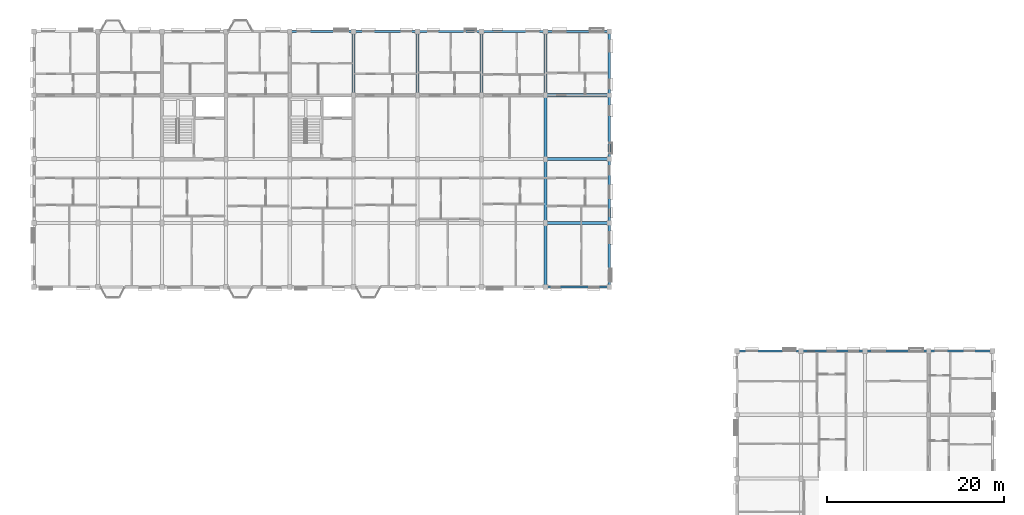
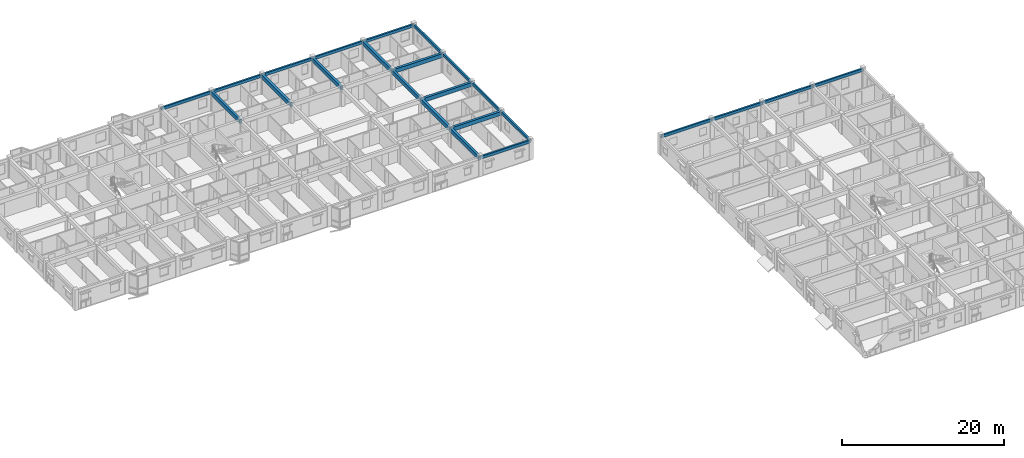
# One storey, part 40 of 75: 24 beams.
"""IFC4 building model written with IfcOpenShell, lengths in metres."""

from ifc_helpers import new_model, si_unit, direction, frame, origin, origin_2d, place, context, subcontext, project, spatial, rectangle, extrude, material, material_profile, profile_set, type_object, element, save


model = new_model("IFC4")

# Units and contexts
model_context = context("Model", 3, precision=1e-05, world=origin(), true_north=direction((0.0, 1.0)))
body_context = subcontext(model_context, "Body", "Model", "MODEL_VIEW")
ifc_project = project(units=[si_unit("LENGTHUNIT", "METRE"), si_unit("AREAUNIT", "SQUARE_METRE"), si_unit("VOLUMEUNIT", "CUBIC_METRE"), si_unit("PLANEANGLEUNIT", "RADIAN"), si_unit("MASSUNIT", "GRAM", prefix="KILO"), si_unit("THERMODYNAMICTEMPERATUREUNIT", "KELVIN"), si_unit("POWERUNIT", "WATT")], contexts=[model_context])

# Site, building, storey
site_placement = place(None, origin())
site = spatial("IfcSite", under=ifc_project, at=site_placement, CompositionType="ELEMENT")
building_placement = place(site_placement, origin())
building = spatial("IfcBuilding", under=site, at=building_placement, Name="Tavuni Mirador Residences", CompositionType="ELEMENT")
storey_placement = place(building_placement, frame((0.0, 0.0, 20.25)))
storey = spatial("IfcBuildingStorey", under=building, at=storey_placement, Name="L06", CompositionType="ELEMENT", Elevation=20.25)

# Beams
ifc_material = material(Name="Precast concrete C40/50", Category="concrete")
ifc_material_profile_1 = material_profile(ifc_material, rectangle(XDim=0.35009765625, YDim=0.60009765625, at=origin_2d()), Name="PC 350x600", Category="concrete")
ifc_profile_set_1 = profile_set([ifc_material_profile_1], Name="Precast concrete C40/50")
beam_type_1 = type_object("IfcBeamType", Name="BT-B600", PredefinedType="BEAM", material=ifc_profile_set_1)
for number, where, z_axis, x_axis, name in (
    (1, (68.39990234375, 151.199951171875, 2.5849609375), (1.0, 0.0, 0.0), (0.0, 1.0, 0.0), "BMX-BLK-C-L06-08-01"),
    (2, (68.39990234375, 158.39990234375, 2.5849609375), (1.0, 0.0, 0.0), (0.0, 1.0, 0.0), "BMX-BLK-C-L06-08-02"),
    (3, (68.39990234375, 165.60009765625, 2.5849609375), (1.0, 0.0, 0.0), (0.0, 1.0, 0.0), "BMX-BLK-C-L06-08-03"),
):
    element("IfcBeam", number, at=place(storey_placement, frame(where, z_axis=z_axis, x_axis=x_axis)), inside=storey, type_object=beam_type_1, Name=name, PredefinedType="BEAM", context=body_context, shape_type="SweptSolid", body=[
        extrude(rectangle(XDim=0.35009765625, YDim=0.60009765625, at=origin_2d()), origin(), (0.0, 0.0, 1.0), 7.2001953125),
    ])
for number, where, z_axis, x_axis, name in (
    (4, (46.800048828125, 165.60009765625, 2.5849609375), (0.0, 1.0, 0.0), (-1.0, 0.0, 0.0), "BMY-BLK-C-L06-05-03"),
    (5, (54.0, 165.60009765625, 2.5849609375), (0.0, 1.0, 0.0), (-1.0, 0.0, 0.0), "BMY-BLK-C-L06-06-03"),
    (6, (61.199951171875, 165.60009765625, 2.5849609375), (0.0, 1.0, 0.0), (-1.0, 0.0, 0.0), "BMY-BLK-C-L06-07-03"),
    (7, (68.39990234375, 144.0, 2.5849609375), (0.0, 1.0, 0.0), (-1.0, 0.0, 0.0), "BMY-BLK-C-L06-08-00"),
    (8, (68.39990234375, 151.199951171875, 2.5849609375), (0.0, 1.0, 0.0), (-1.0, 0.0, 0.0), "BMY-BLK-C-L06-08-01"),
):
    element("IfcBeam", number, at=place(storey_placement, frame(where, z_axis=z_axis, x_axis=x_axis)), inside=storey, type_object=beam_type_1, Name=name, PredefinedType="BEAM", context=body_context, shape_type="SweptSolid", body=[
        extrude(rectangle(XDim=0.35009765625, YDim=0.60009765625, at=origin_2d()), origin(), (0.0, 0.0, 1.0), 7.199951171875),
    ])
beam_1_placement = place(storey_placement, frame((68.39990234375, 158.39990234375, 2.5849609375), z_axis=(0.0, 1.0, 0.0), x_axis=(-1.0, 0.0, 0.0)))
element("IfcBeam", 9, at=beam_1_placement, inside=storey, type_object=beam_type_1, Name="BMY-BLK-C-L06-08-02", PredefinedType="BEAM", context=body_context, shape_type="SweptSolid", body=[
    extrude(rectangle(XDim=0.35009765625, YDim=0.60009765625, at=origin_2d()), origin(), (0.0, 0.0, 1.0), 7.2001953125),
])
beam_2_placement = place(storey_placement, frame((68.39990234375, 165.60009765625, 2.5849609375), z_axis=(0.0, 1.0, 0.0), x_axis=(-1.0, 0.0, 0.0)))
element("IfcBeam", 10, at=beam_2_placement, inside=storey, type_object=beam_type_1, Name="BMY-BLK-C-L06-08-03", PredefinedType="BEAM", context=body_context, shape_type="SweptSolid", body=[
    extrude(rectangle(XDim=0.35009765625, YDim=0.60009765625, at=origin_2d()), origin(), (0.0, 0.0, 1.0), 7.199951171875),
])
ifc_material_profile_2 = material_profile(ifc_material, rectangle(XDim=0.25, YDim=0.419921875, at=origin_2d()), Name="PC 250x420", Category="concrete")
ifc_profile_set_2 = profile_set([ifc_material_profile_2], Name="Precast concrete C40/50")
beam_type_2 = type_object("IfcBeamType", Name="BT-SP420", PredefinedType="SPANDREL", material=ifc_profile_set_2)
beam_3_placement = place(storey_placement, frame((68.39990234375, 144.0, 2.675048828125), z_axis=(1.0, 0.0, 0.0), x_axis=(0.0, 1.0, 0.0)))
element("IfcBeam", 11, at=beam_3_placement, inside=storey, type_object=beam_type_2, Name="BMX-BLK-C-L06-08-00", PredefinedType="SPANDREL", context=body_context, shape_type="SweptSolid", body=[
    extrude(rectangle(XDim=0.25, YDim=0.419921875, at=origin_2d()), origin(), (0.0, 0.0, 1.0), 7.2001953125),
])
for number, where, z_axis, x_axis, name in (
    (12, (39.60009765625, 172.800048828125, 2.675048828125), (1.0, 0.0, 0.0), (0.0, 1.0, 0.0), "BMX-BLK-C-L06-04-04"),
    (13, (46.800048828125, 172.800048828125, 2.675048828125), (1.0, 0.0, 0.0), (0.0, 1.0, 0.0), "BMX-BLK-C-L06-05-04"),
    (14, (54.0, 172.800048828125, 2.675048828125), (1.0, 0.0, 0.0), (0.0, 1.0, 0.0), "BMX-BLK-C-L06-06-04"),
    (15, (61.199951171875, 172.800048828125, 2.675048828125), (1.0, 0.0, 0.0), (0.0, 1.0, 0.0), "BMX-BLK-C-L06-07-04"),
):
    element("IfcBeam", number, at=place(storey_placement, frame(where, z_axis=z_axis, x_axis=x_axis)), inside=storey, type_object=beam_type_2, Name=name, PredefinedType="SPANDREL", context=body_context, shape_type="SweptSolid", body=[
        extrude(rectangle(XDim=0.25, YDim=0.419921875, at=origin_2d()), origin(), (0.0, 0.0, 1.0), 7.199951171875),
    ])
beam_4_placement = place(storey_placement, frame((68.39990234375, 172.800048828125, 2.675048828125), z_axis=(1.0, 0.0, 0.0), x_axis=(0.0, 1.0, 0.0)))
element("IfcBeam", 16, at=beam_4_placement, inside=storey, type_object=beam_type_2, Name="BMX-BLK-C-L06-08-04", PredefinedType="SPANDREL", context=body_context, shape_type="SweptSolid", body=[
    extrude(rectangle(XDim=0.25, YDim=0.419921875, at=origin_2d()), origin(), (0.0, 0.0, 1.0), 7.2001953125),
])
for number, where, z_axis, x_axis, name in (
    (17, (75.60009765625, 144.0, 2.675048828125), (0.0, 1.0, 0.0), (-1.0, 0.0, 0.0), "BMY-BLK-C-L06-09-00"),
    (18, (75.60009765625, 151.199951171875, 2.675048828125), (0.0, 1.0, 0.0), (-1.0, 0.0, 0.0), "BMY-BLK-C-L06-09-01"),
):
    element("IfcBeam", number, at=place(storey_placement, frame(where, z_axis=z_axis, x_axis=x_axis)), inside=storey, type_object=beam_type_2, Name=name, PredefinedType="SPANDREL", context=body_context, shape_type="SweptSolid", body=[
        extrude(rectangle(XDim=0.25, YDim=0.419921875, at=origin_2d()), origin(), (0.0, 0.0, 1.0), 7.199951171875),
    ])
beam_5_placement = place(storey_placement, frame((75.60009765625, 158.39990234375, 2.675048828125), z_axis=(0.0, 1.0, 0.0), x_axis=(-1.0, 0.0, 0.0)))
element("IfcBeam", 19, at=beam_5_placement, inside=storey, type_object=beam_type_2, Name="BMY-BLK-C-L06-09-02", PredefinedType="SPANDREL", context=body_context, shape_type="SweptSolid", body=[
    extrude(rectangle(XDim=0.25, YDim=0.419921875, at=origin_2d()), origin(), (0.0, 0.0, 1.0), 7.2001953125),
])
for number, where, z_axis, x_axis, name in (
    (20, (75.60009765625, 165.60009765625, 2.675048828125), (0.0, 1.0, 0.0), (-1.0, 0.0, 0.0), "BMY-BLK-C-L06-09-03"),
    (21, (90.0, 136.800048828125, 2.679931640625), (1.0, 0.0, 0.0), (0.0, 1.0, 0.0), "BMX-BLK-D-L06-00-07"),
    (22, (97.199951171875, 136.800048828125, 2.679931640625), (1.0, 0.0, 0.0), (0.0, 1.0, 0.0), "BMX-BLK-D-L06-01-07"),
):
    element("IfcBeam", number, at=place(storey_placement, frame(where, z_axis=z_axis, x_axis=x_axis)), inside=storey, type_object=beam_type_2, Name=name, PredefinedType="SPANDREL", context=body_context, shape_type="SweptSolid", body=[
        extrude(rectangle(XDim=0.25, YDim=0.419921875, at=origin_2d()), origin(), (0.0, 0.0, 1.0), 7.199951171875),
    ])
beam_6_placement = place(storey_placement, frame((104.39990234375, 136.800048828125, 2.679931640625), z_axis=(1.0, 0.0, 0.0), x_axis=(0.0, 1.0, 0.0)))
element("IfcBeam", 23, at=beam_6_placement, inside=storey, type_object=beam_type_2, Name="BMX-BLK-D-L06-02-07", PredefinedType="SPANDREL", context=body_context, shape_type="SweptSolid", body=[
    extrude(rectangle(XDim=0.25, YDim=0.419921875, at=origin_2d()), origin(), (0.0, 0.0, 1.0), 7.2001953125),
])
beam_7_placement = place(storey_placement, frame((111.60009765625, 136.800048828125, 2.679931640625), z_axis=(1.0, 0.0, 0.0), x_axis=(0.0, 1.0, 0.0)))
element("IfcBeam", 24, at=beam_7_placement, inside=storey, type_object=beam_type_2, Name="BMX-BLK-D-L06-03-07", PredefinedType="SPANDREL", context=body_context, shape_type="SweptSolid", body=[
    extrude(rectangle(XDim=0.25, YDim=0.419921875, at=origin_2d()), origin(), (0.0, 0.0, 1.0), 7.199951171875),
])

save(model, "model.ifc")
